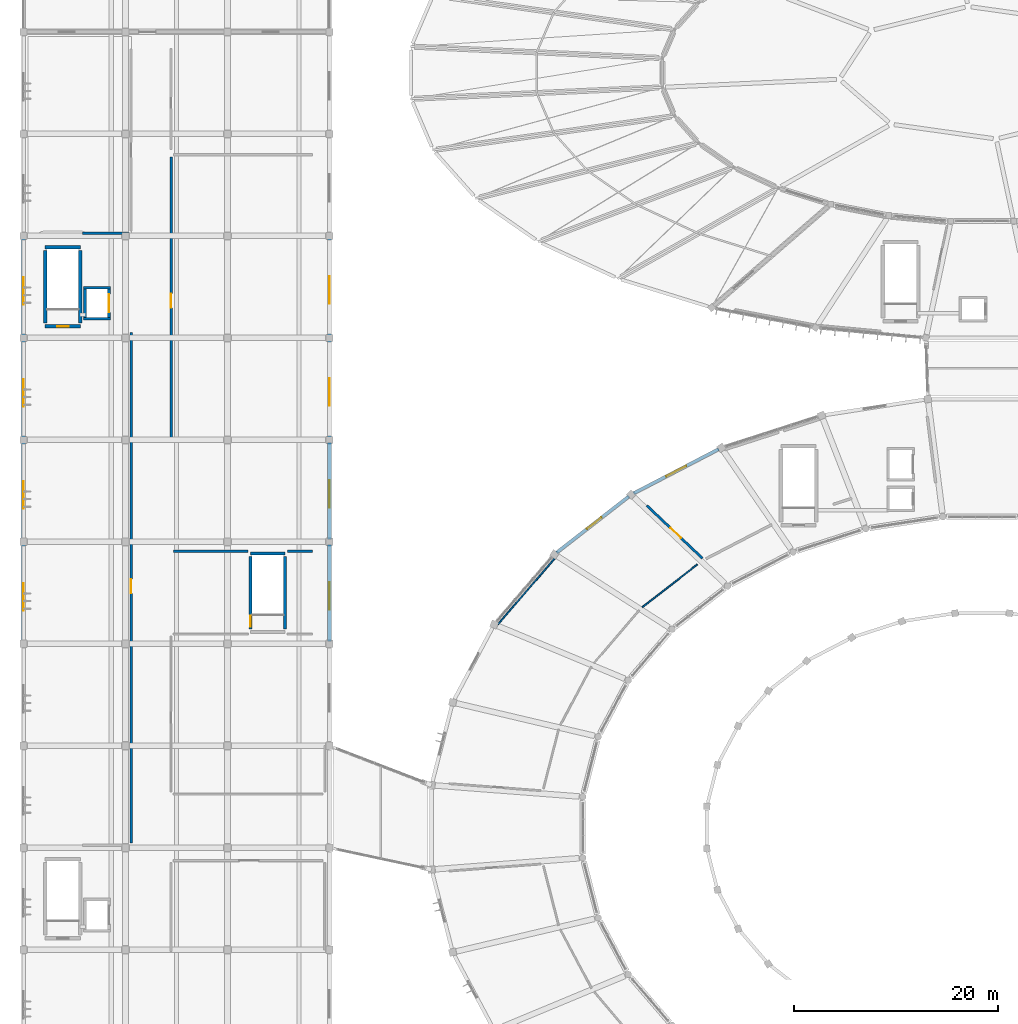
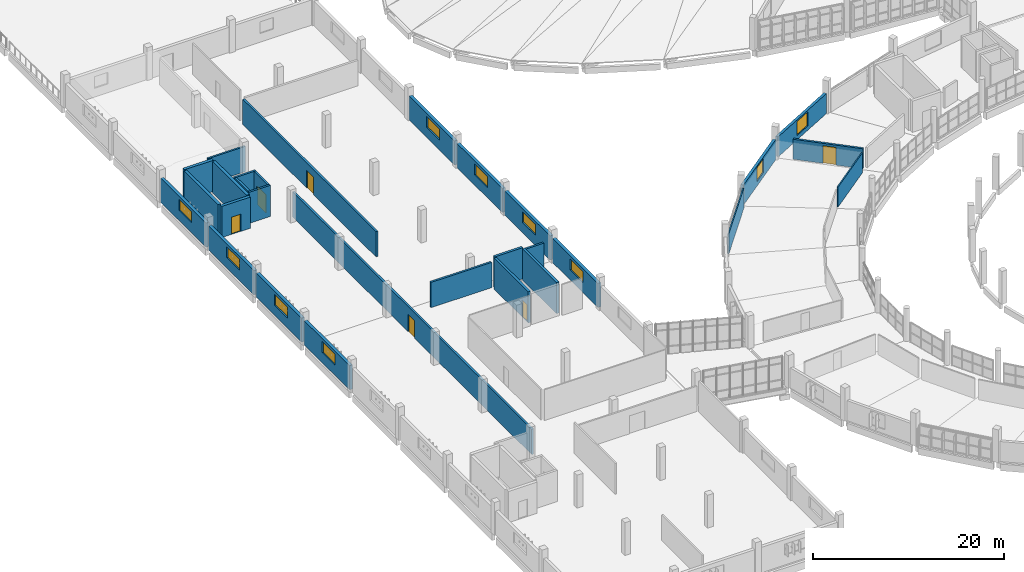
# One storey, part 98 of 142: 29 walls, 10 windows, 6 doors, 16 openings.
"""IFC4 building model written with IfcOpenShell, lengths in metres."""

from ifc_helpers import new_model, si_unit, direction, frame, frame_2d, origin, place, context, subcontext, project, spatial, rectangle, extrude, material, layer, layer_set, type_object, element, fill, save


model = new_model("IFC4")

# Units and contexts
model_context = context("Model", 3, precision=1e-05, world=origin(), true_north=direction((0.0, 1.0)))
body_context = subcontext(model_context, "Body", "Model", "MODEL_VIEW")
ifc_project = project(units=[si_unit("LENGTHUNIT", "METRE"), si_unit("AREAUNIT", "SQUARE_METRE"), si_unit("VOLUMEUNIT", "CUBIC_METRE"), si_unit("PLANEANGLEUNIT", "RADIAN"), si_unit("MASSUNIT", "GRAM", prefix="KILO")], contexts=[model_context])

# Site, building, storey
site_placement = place(None, origin())
site = spatial("IfcSite", under=ifc_project, at=site_placement, CompositionType="ELEMENT")
building_placement = place(site_placement, origin())
building = spatial("IfcBuilding", under=site, at=building_placement, Name="Corvandel Quay Wholesale Market", CompositionType="ELEMENT")
storey_placement = place(building_placement, frame((0.0, 0.0, 10.800048828125)))
storey = spatial("IfcBuildingStorey", under=building, at=storey_placement, Name="L02", CompositionType="ELEMENT", Elevation=10.800048828125)

# Wall, opening, door
ifc_material_1 = material(Name="Concrete C40/50", Category="concrete")
ifc_layer_1 = layer(ifc_material_1, 0.35009765625)
ifc_layer_set_1 = layer_set([ifc_layer_1], Name="Concrete C40/50")
wall_type_1 = type_object("IfcWallType", Name="Core Shear Wall SW01 350", PredefinedType="SHEAR", material=ifc_layer_set_1)
wall_1_placement = place(storey_placement, frame((22.125, 91.125, 0.0), z_axis=(0.0, 0.0, 1.0), x_axis=(1.0, 0.0, 0.0)))
wall_1 = element("IfcWall", 1, at=wall_1_placement, inside=storey, type_object=wall_type_1, Name="Shear Wall IW-0129", PredefinedType="SHEAR", context=body_context, shape_type="SweptSolid", body=[
    extrude(rectangle(XDim=3.449951171875, YDim=0.35009765625, at=frame_2d((1.72509765625, 0.0))), origin(), (0.0, 0.0, 1.0), 3.97998046875),
])
opening_1_placement = place(wall_1_placement, frame((1.199951171875, 0.0, 0.0)))
opening_1 = element("IfcOpeningElement", 2, at=opening_1_placement, cuts=wall_1, Name="Opening L02-D015", PredefinedType="OPENING", context=body_context, shape_type="SweptSolid", body=[
    extrude(rectangle(XDim=1.10009765625, YDim=2.199951171875, at=frame_2d((0.550048828125, 1.10009765625))), frame((0.0, 0.18505859375, 0.0), z_axis=(0.0, -1.0, 0.0), x_axis=(1.0, 0.0, 0.0)), (0.0, 0.0, 1.0), 0.3701171875),
])
ifc_material_2 = material(Name="Galvanised fire-rated hollow steel", Category="steel")
door_type_1 = type_object("IfcDoorType", Name="Exit Stair Fire Door ID01 1100x2200L", OperationType="SINGLE_SWING_LEFT", PredefinedType="DOOR", material=ifc_material_2)
door_1_placement = place(opening_1_placement, origin())
door_1 = element("IfcDoor", 3, at=door_1_placement, inside=storey, type_object=door_type_1, Name="Exit Stair Door SH12-L02", OperationType="SINGLE_SWING_LEFT", OverallHeight=2.199951171875, OverallWidth=1.10009765625, PredefinedType="DOOR", context=body_context, shape_type="SweptSolid", body=[
    extrude(rectangle(XDim=1.10009765625, YDim=2.199951171875, at=frame_2d((0.550048828125, 1.10009765625))), frame((0.0, 0.02490234375, 0.0), z_axis=(0.0, -1.0, 0.0), x_axis=(1.0, 0.0, 0.0)), (0.0, 0.0, 1.0), 0.050048828125),
])
fill(opening_1, door_1)

# Walls
wall_2_placement = place(storey_placement, frame((22.125, 98.875, 0.0), z_axis=(0.0, 0.0, 1.0), x_axis=(1.0, 0.0, 0.0)))
element("IfcWall", 4, at=wall_2_placement, inside=storey, type_object=wall_type_1, Name="Shear Wall IW-0130", PredefinedType="SHEAR", context=body_context, shape_type="SweptSolid", body=[
    extrude(rectangle(XDim=3.449951171875, YDim=0.35009765625, at=frame_2d((1.72509765625, 0.0))), origin(), (0.0, 0.0, 1.0), 3.97998046875),
])
for number, where, z_axis, x_axis, name in (
    (5, (22.125, 91.43994140625, 0.0), (0.0, 0.0, 1.0), (0.0, 1.0, 0.0), "Shear Wall IW-0131"),
    (6, (25.574951171875, 91.43994140625, 0.0), (0.0, 0.0, 1.0), (0.0, 1.0, 0.0), "Shear Wall IW-0132"),
):
    element("IfcWall", number, at=place(storey_placement, frame(where, z_axis=z_axis, x_axis=x_axis)), inside=storey, type_object=wall_type_1, Name=name, PredefinedType="SHEAR", context=body_context, shape_type="SweptSolid", body=[
        extrude(rectangle(XDim=7.1201171875, YDim=0.35009765625, at=frame_2d((3.56005859375, 0.0))), origin(), (0.0, 0.0, 1.0), 3.97998046875),
    ])
ifc_material_3 = material(Name="Gypsum-clad steel stud framing", Category="steel")
ifc_layer_2 = layer(ifc_material_3, 0.2099609375)
ifc_layer_set_2 = layer_set([ifc_layer_2], Name="Gypsum-clad steel stud framing")
wall_type_2 = type_object("IfcWallType", Name="Corridor Rated Partition PT02 210", PredefinedType="PARTITIONING", material=ifc_layer_set_2)
wall_3_placement = place(storey_placement, frame((30.320068359375, 100.260009765625, 0.0), z_axis=(0.0, 0.0, 1.0), x_axis=(-1.0, 0.0, 0.0)))
element("IfcWall", 7, at=wall_3_placement, inside=storey, type_object=wall_type_2, Name="Interior Wall IW-0836", PredefinedType="PARTITIONING", context=body_context, shape_type="SweptSolid", body=[
    extrude(rectangle(XDim=4.525146484375, YDim=0.2099609375, at=frame_2d((2.2626953125, 0.0))), origin(), (0.0, 0.0, 1.0), 3.22998046875),
])

# Wall, opening, door
ifc_material_4 = material(Name="Lightweight concrete blockwork", Category="masonry")
ifc_layer_3 = layer(ifc_material_4, 0.239990234375)
ifc_layer_set_3 = layer_set([ifc_layer_3], Name="Lightweight concrete blockwork")
wall_type_3 = type_object("IfcWallType", Name="Fire Compartment Partition PT01 240", PredefinedType="PARTITIONING", material=ifc_layer_set_3)
wall_4_placement = place(storey_placement, frame((86.564208984375, 68.386474609375, 0.0), z_axis=(0.0, 0.0, 1.0), x_axis=(-0.725723737428, 0.687986233099, 0.0)))
wall_4 = element("IfcWall", 8, at=wall_4_placement, inside=storey, type_object=wall_type_3, Name="Interior Wall IW-0538", PredefinedType="PARTITIONING", context=body_context, shape_type="SweptSolid", body=[
    extrude(rectangle(XDim=7.510986328125, YDim=0.239990234375, at=frame_2d((3.75537109375, 0.0))), origin(), (0.0, 0.0, 1.0), 2.550048828125),
])
opening_2_placement = place(wall_4_placement, frame((2.906005859375, 0.0, 0.0)))
opening_2 = element("IfcOpeningElement", 9, at=opening_2_placement, cuts=wall_4, Name="Opening L02-D032", PredefinedType="OPENING", context=body_context, shape_type="SweptSolid", body=[
    extrude(rectangle(XDim=1.39990234375, YDim=2.25, at=frame_2d((0.699951171875, 1.125))), frame((0.0, 0.1298828125, 0.0), z_axis=(0.0, -1.0, 0.0), x_axis=(1.0, 0.0, 0.0)), (0.0, 0.0, 1.0), 0.260009765625),
])
ifc_material_5 = material(Name="Acoustic louvred fire-rated steel", Category="steel")
door_type_2 = type_object("IfcDoorType", Name="Plant Room Fire Door ID15 1400x2250L", OperationType="SINGLE_SWING_LEFT", PredefinedType="DOOR", material=ifc_material_5)
door_2_placement = place(opening_2_placement, origin())
door_2 = element("IfcDoor", 10, at=door_2_placement, inside=storey, type_object=door_type_2, Name="Market Air Handling Plant Room V1 Door", OperationType="SINGLE_SWING_LEFT", OverallHeight=2.25, OverallWidth=1.39990234375, PredefinedType="DOOR", context=body_context, shape_type="SweptSolid", body=[
    extrude(rectangle(XDim=1.39990234375, YDim=2.25, at=frame_2d((0.699951171875, 1.125))), frame((0.0, 0.02490234375, 0.0), z_axis=(0.0, -1.0, 0.0), x_axis=(1.0, 0.0, 0.0)), (0.0, 0.0, 1.0), 0.050048828125),
])
fill(opening_2, door_2)

wall_5_placement = place(storey_placement, frame((30.5400390625, 90.52001953125, 0.0), z_axis=(0.0, 0.0, 1.0), x_axis=(0.0, -1.0, 0.0)))
wall_5 = element("IfcWall", 11, at=wall_5_placement, inside=storey, type_object=wall_type_3, Name="Interior Wall IW-0833", PredefinedType="PARTITIONING", context=body_context, shape_type="SweptSolid", body=[
    extrude(rectangle(XDim=50.0400390625, YDim=0.239990234375, at=frame_2d((25.02001953125, 0.0))), origin(), (0.0, 0.0, 1.0), 3.22998046875),
])
opening_3_placement = place(wall_5_placement, frame((24.169921875, 0.0, 0.0)))
opening_3 = element("IfcOpeningElement", 12, at=opening_3_placement, cuts=wall_5, Name="Opening L02-D043", PredefinedType="OPENING", context=body_context, shape_type="SweptSolid", body=[
    extrude(rectangle(XDim=1.39990234375, YDim=2.25, at=frame_2d((0.699951171875, 1.125))), frame((0.0, 0.1298828125, 0.0), z_axis=(0.0, -1.0, 0.0), x_axis=(1.0, 0.0, 0.0)), (0.0, 0.0, 1.0), 0.260009765625),
])
door_type_3 = type_object("IfcDoorType", Name="Plant Room Fire Door ID16 1400x2250R", OperationType="SINGLE_SWING_RIGHT", PredefinedType="DOOR", material=ifc_material_5)
door_3_placement = place(opening_3_placement, origin())
door_3 = element("IfcDoor", 13, at=door_3_placement, inside=storey, type_object=door_type_3, Name="Cascade Refrigeration Plant Hall Door", OperationType="SINGLE_SWING_RIGHT", OverallHeight=2.25, OverallWidth=1.39990234375, PredefinedType="DOOR", context=body_context, shape_type="SweptSolid", body=[
    extrude(rectangle(XDim=1.39990234375, YDim=2.25, at=frame_2d((0.699951171875, 1.125))), frame((0.0, 0.02490234375, 0.0), z_axis=(0.0, -1.0, 0.0), x_axis=(1.0, 0.0, 0.0)), (0.0, 0.0, 1.0), 0.050048828125),
])
fill(opening_3, door_3)

wall_6_placement = place(storey_placement, frame((34.4599609375, 79.84619140625, 0.0), z_axis=(0.0, 0.0, 1.0), x_axis=(0.0, 1.0, 0.0)))
wall_6 = element("IfcWall", 14, at=wall_6_placement, inside=storey, type_object=wall_type_3, Name="Interior Wall IW-0846", PredefinedType="PARTITIONING", context=body_context, shape_type="SweptSolid", body=[
    extrude(rectangle(XDim=27.873779296875, YDim=0.239990234375, at=frame_2d((13.93701171875, 0.0))), origin(), (0.0, 0.0, 1.0), 3.22998046875),
])
opening_4_placement = place(wall_6_placement, frame((13.0869140625, 0.0, 0.0)))
opening_4 = element("IfcOpeningElement", 15, at=opening_4_placement, cuts=wall_6, Name="Opening L02-D047", PredefinedType="OPENING", context=body_context, shape_type="SweptSolid", body=[
    extrude(rectangle(XDim=1.39990234375, YDim=2.25, at=frame_2d((0.699951171875, 1.125))), frame((0.0, 0.1298828125, 0.0), z_axis=(0.0, -1.0, 0.0), x_axis=(1.0, 0.0, 0.0)), (0.0, 0.0, 1.0), 0.260009765625),
])
door_4_placement = place(opening_4_placement, origin())
door_4 = element("IfcDoor", 16, at=door_4_placement, inside=storey, type_object=door_type_3, Name="Plant Maintenance Workshop Door", OperationType="SINGLE_SWING_RIGHT", OverallHeight=2.25, OverallWidth=1.39990234375, PredefinedType="DOOR", context=body_context, shape_type="SweptSolid", body=[
    extrude(rectangle(XDim=1.39990234375, YDim=2.25, at=frame_2d((0.699951171875, 1.125))), frame((0.0, 0.02490234375, 0.0), z_axis=(0.0, -1.0, 0.0), x_axis=(1.0, 0.0, 0.0)), (0.0, 0.0, 1.0), 0.050048828125),
])
fill(opening_4, door_4)

# Walls
wall_7_placement = place(storey_placement, frame((48.330078125, 69.06005859375, 0.0), z_axis=(0.0, 0.0, 1.0), x_axis=(-1.0, 0.0, 0.0)))
element("IfcWall", 17, at=wall_7_placement, inside=storey, type_object=wall_type_3, Name="Interior Wall IW-0848", PredefinedType="PARTITIONING", context=body_context, shape_type="SweptSolid", body=[
    extrude(rectangle(XDim=2.4599609375, YDim=0.239990234375, at=frame_2d((1.22998046875, 0.0))), origin(), (0.0, 0.0, 1.0), 3.47998046875),
])
wall_8_placement = place(storey_placement, frame((42.030029296875, 69.06005859375, 0.0), z_axis=(0.0, 0.0, 1.0), x_axis=(-1.0, 0.0, 0.0)))
element("IfcWall", 18, at=wall_8_placement, inside=storey, type_object=wall_type_3, Name="Interior Wall IW-0849", PredefinedType="PARTITIONING", context=body_context, shape_type="SweptSolid", body=[
    extrude(rectangle(XDim=7.35009765625, YDim=0.239990234375, at=frame_2d((3.675048828125, 0.0))), origin(), (0.0, 0.0, 1.0), 3.22998046875),
])
ifc_layer_4 = layer(ifc_material_1, 0.25)
ifc_layer_set_4 = layer_set([ifc_layer_4], Name="Concrete C40/50")
wall_type_4 = type_object("IfcWallType", Name="Lift Shaft Shear Wall SW03 250", PredefinedType="SHEAR", material=ifc_layer_set_4)
for number, where, z_axis, x_axis, name in (
    (19, (25.89990234375, 91.875, 0.0), (0.0, 0.0, 1.0), (1.0, 0.0, 0.0), "Shear Wall IW-0317"),
    (20, (25.89990234375, 94.925048828125, 0.0), (0.0, 0.0, 1.0), (1.0, 0.0, 0.0), "Shear Wall IW-0318"),
):
    element("IfcWall", number, at=place(storey_placement, frame(where, z_axis=z_axis, x_axis=x_axis)), inside=storey, type_object=wall_type_4, Name=name, PredefinedType="SHEAR", context=body_context, shape_type="SweptSolid", body=[
        extrude(rectangle(XDim=2.60009765625, YDim=0.25, at=frame_2d((1.300048828125, 0.0))), origin(), (0.0, 0.0, 1.0), 3.97998046875),
    ])
wall_9_placement = place(storey_placement, frame((26.02490234375, 91.989990234375, 0.0), z_axis=(0.0, 0.0, 1.0), x_axis=(0.0, 1.0, 0.0)))
element("IfcWall", 21, at=wall_9_placement, inside=storey, type_object=wall_type_4, Name="Shear Wall IW-0319", PredefinedType="SHEAR", context=body_context, shape_type="SweptSolid", body=[
    extrude(rectangle(XDim=2.820068359375, YDim=0.25, at=frame_2d((1.41015625, 0.0))), origin(), (0.0, 0.0, 1.0), 3.97998046875),
])

# Wall, opening, door
wall_10_placement = place(storey_placement, frame((28.375, 91.989990234375, 0.0), z_axis=(0.0, 0.0, 1.0), x_axis=(0.0, 1.0, 0.0)))
wall_10 = element("IfcWall", 22, at=wall_10_placement, inside=storey, type_object=wall_type_4, Name="Shear Wall IW-0320", PredefinedType="SHEAR", context=body_context, shape_type="SweptSolid", body=[
    extrude(rectangle(XDim=2.820068359375, YDim=0.25, at=frame_2d((1.41015625, 0.0))), origin(), (0.0, 0.0, 1.0), 3.97998046875),
])
opening_5_placement = place(wall_10_placement, frame((0.510009765625, 0.0, 0.0)))
opening_5 = element("IfcOpeningElement", 23, at=opening_5_placement, cuts=wall_10, Name="Opening LD-L02-027", PredefinedType="OPENING", context=body_context, shape_type="SweptSolid", body=[
    extrude(rectangle(XDim=1.800048828125, YDim=2.39990234375, at=frame_2d((0.89990234375, 1.199951171875))), frame((0.0, 0.135009765625, 0.0), z_axis=(0.0, -1.0, 0.0), x_axis=(1.0, 0.0, 0.0)), (0.0, 0.0, 1.0), 0.27001953125),
])
ifc_material_6 = material(Name="Heavy-duty brushed stainless steel", Category="steel")
door_type_4 = type_object("IfcDoorType", Name="Goods Lift Landing Door LD02 1800x2400", OperationType="DOUBLE_DOOR_SLIDING", PredefinedType="DOOR", material=ifc_material_6)
door_5_placement = place(opening_5_placement, origin())
door_5 = element("IfcDoor", 24, at=door_5_placement, inside=storey, type_object=door_type_4, Name="Lift Landing Door LF-V4F2-L02", OperationType="DOUBLE_DOOR_SLIDING", OverallHeight=2.39990234375, OverallWidth=1.800048828125, PredefinedType="DOOR", context=body_context, shape_type="SweptSolid", body=[
    extrude(rectangle(XDim=1.800048828125, YDim=2.39990234375, at=frame_2d((0.89990234375, 1.199951171875))), frame((0.0, 0.02490234375, 0.0), z_axis=(0.0, -1.0, 0.0), x_axis=(1.0, 0.0, 0.0)), (0.0, 0.0, 1.0), 0.050048828125),
])
fill(opening_5, door_5)

# Walls
ifc_material_7 = material(Name="Double-layer acoustic gypsum stud partition")
ifc_layer_5 = layer(ifc_material_7, 0.139892578125)
ifc_layer_set_5 = layer_set([ifc_layer_5], Name="Double-layer acoustic gypsum stud partition")
wall_type_5 = type_object("IfcWallType", Name="Office Acoustic Partition PT07 140", PredefinedType="PARTITIONING", material=ifc_layer_set_5)
wall_11_placement = place(storey_placement, frame((66.522216796875, 61.90185546875, 0.0), z_axis=(0.0, 0.0, 1.0), x_axis=(0.651588761732, 0.758572399699, 0.0)))
element("IfcWall", 25, at=wall_11_placement, inside=storey, type_object=wall_type_5, Name="Interior Wall IW-0539", PredefinedType="PARTITIONING", context=body_context, shape_type="SweptSolid", body=[
    extrude(rectangle(XDim=8.569091796875, YDim=0.139892578125, at=frame_2d((4.28466796875, 0.0))), origin(), (0.0, 0.0, 1.0), 2.550048828125),
])
wall_12_placement = place(storey_placement, frame((86.073486328125, 67.781005859375, 0.0), z_axis=(0.0, 0.0, 1.0), x_axis=(-0.789176995311, -0.614165832712, 0.0)))
element("IfcWall", 26, at=wall_12_placement, inside=storey, type_object=wall_type_5, Name="Interior Wall IW-0540", PredefinedType="PARTITIONING", context=body_context, shape_type="SweptSolid", body=[
    extrude(rectangle(XDim=6.82861328125, YDim=0.139892578125, at=frame_2d((3.414306640625, 0.0))), origin(), (0.0, 0.0, 1.0), 2.550048828125),
])

# Wall, opening, window
ifc_material_8 = material(Name="Insulated precast concrete C45/55", Category="concrete")
ifc_layer_6 = layer(ifc_material_8, 0.360107421875)
ifc_layer_set_6 = layer_set([ifc_layer_6], Name="Insulated precast concrete C45/55")
wall_type_6 = type_object("IfcWallType", Name="Ripening Gas-Tight Envelope Wall EW04 360", PredefinedType="SOLIDWALL", material=ifc_layer_set_6)
wall_13_placement = place(storey_placement, frame((20.0, 60.239990234375, 0.0), z_axis=(0.0, 0.0, 1.0), x_axis=(0.0, 1.0, 0.0)))
wall_13 = element("IfcWall", 27, at=wall_13_placement, inside=storey, type_object=wall_type_6, Name="Exterior Wall EW-0256", PredefinedType="SOLIDWALL", context=body_context, shape_type="SweptSolid", body=[
    extrude(rectangle(XDim=9.52001953125, YDim=0.360107421875, at=frame_2d((4.760009765625, 0.0))), origin(), (0.0, 0.0, 1.0), 3.079833984375),
])
opening_6_placement = place(wall_13_placement, frame((3.0, 0.0, 1.300048828125)))
opening_6 = element("IfcOpeningElement", 28, at=opening_6_placement, cuts=wall_13, Name="Opening L02-W047", PredefinedType="OPENING", context=body_context, shape_type="SweptSolid", body=[
    extrude(rectangle(XDim=2.699951171875, YDim=1.39990234375, at=frame_2d((1.35009765625, 0.699951171875))), frame((0.0, 0.18994140625, 0.0), z_axis=(0.0, -1.0, 0.0), x_axis=(1.0, 0.0, 0.0)), (0.0, 0.0, 1.0), 0.380126953125),
])
ifc_material_9 = material(Name="Thermally broken bronze anodised aluminium and solar-control low-E double glazing", Category="aluminium")
window_type_1 = type_object("IfcWindowType", Name="Plant Louvred Clerestory Window WN16 2700x1400", PartitioningType="SINGLE_PANEL", PredefinedType="WINDOW", material=ifc_material_9)
window_1_placement = place(opening_6_placement, origin())
window_1 = element("IfcWindow", 29, at=window_1_placement, inside=storey, type_object=window_type_1, Name="Window L02-W047", OverallHeight=1.39990234375, OverallWidth=2.699951171875, PartitioningType="SINGLE_PANEL", PredefinedType="WINDOW", context=body_context, shape_type="SweptSolid", body=[
    extrude(rectangle(XDim=2.699951171875, YDim=1.39990234375, at=frame_2d((1.35009765625, 0.699951171875))), frame((0.0, 0.030029296875, 0.0), z_axis=(0.0, -1.0, 0.0), x_axis=(1.0, 0.0, 0.0)), (0.0, 0.0, 1.0), 0.06005859375),
])
fill(opening_6, window_1)

wall_14_placement = place(storey_placement, frame((50.0, 60.239990234375, 0.0), z_axis=(0.0, 0.0, 1.0), x_axis=(0.0, 1.0, 0.0)))
wall_14 = element("IfcWall", 30, at=wall_14_placement, inside=storey, type_object=wall_type_6, Name="Exterior Wall EW-0260", PredefinedType="SOLIDWALL", context=body_context, shape_type="SweptSolid", body=[
    extrude(rectangle(XDim=9.52001953125, YDim=0.360107421875, at=frame_2d((4.760009765625, 0.0))), origin(), (0.0, 0.0, 1.0), 3.079833984375),
])
opening_7_placement = place(wall_14_placement, frame((3.10009765625, 0.0, 1.300048828125)))
opening_7 = element("IfcOpeningElement", 31, at=opening_7_placement, cuts=wall_14, Name="Opening L02-W048", PredefinedType="OPENING", context=body_context, shape_type="SweptSolid", body=[
    extrude(rectangle(XDim=2.699951171875, YDim=1.39990234375, at=frame_2d((1.35009765625, 0.699951171875))), frame((0.0, 0.18994140625, 0.0), z_axis=(0.0, -1.0, 0.0), x_axis=(1.0, 0.0, 0.0)), (0.0, 0.0, 1.0), 0.380126953125),
])
window_2_placement = place(opening_7_placement, origin())
window_2 = element("IfcWindow", 32, at=window_2_placement, inside=storey, type_object=window_type_1, Name="Window L02-W048", OverallHeight=1.39990234375, OverallWidth=2.699951171875, PartitioningType="SINGLE_PANEL", PredefinedType="WINDOW", context=body_context, shape_type="SweptSolid", body=[
    extrude(rectangle(XDim=2.699951171875, YDim=1.39990234375, at=frame_2d((1.35009765625, 0.699951171875))), frame((0.0, 0.030029296875, 0.0), z_axis=(0.0, -1.0, 0.0), x_axis=(1.0, 0.0, 0.0)), (0.0, 0.0, 1.0), 0.06005859375),
])
fill(opening_7, window_2)

wall_15_placement = place(storey_placement, frame((20.0, 70.239990234375, 0.0), z_axis=(0.0, 0.0, 1.0), x_axis=(0.0, 1.0, 0.0)))
wall_15 = element("IfcWall", 33, at=wall_15_placement, inside=storey, type_object=wall_type_6, Name="Exterior Wall EW-0263", PredefinedType="SOLIDWALL", context=body_context, shape_type="SweptSolid", body=[
    extrude(rectangle(XDim=9.52001953125, YDim=0.360107421875, at=frame_2d((4.760009765625, 0.0))), origin(), (0.0, 0.0, 1.0), 3.079833984375),
])
opening_8_placement = place(wall_15_placement, frame((3.0, 0.0, 1.300048828125)))
opening_8 = element("IfcOpeningElement", 34, at=opening_8_placement, cuts=wall_15, Name="Opening L02-W049", PredefinedType="OPENING", context=body_context, shape_type="SweptSolid", body=[
    extrude(rectangle(XDim=2.699951171875, YDim=1.39990234375, at=frame_2d((1.35009765625, 0.699951171875))), frame((0.0, 0.18994140625, 0.0), z_axis=(0.0, -1.0, 0.0), x_axis=(1.0, 0.0, 0.0)), (0.0, 0.0, 1.0), 0.380126953125),
])
window_3_placement = place(opening_8_placement, origin())
window_3 = element("IfcWindow", 35, at=window_3_placement, inside=storey, type_object=window_type_1, Name="Window L02-W049", OverallHeight=1.39990234375, OverallWidth=2.699951171875, PartitioningType="SINGLE_PANEL", PredefinedType="WINDOW", context=body_context, shape_type="SweptSolid", body=[
    extrude(rectangle(XDim=2.699951171875, YDim=1.39990234375, at=frame_2d((1.35009765625, 0.699951171875))), frame((0.0, 0.030029296875, 0.0), z_axis=(0.0, -1.0, 0.0), x_axis=(1.0, 0.0, 0.0)), (0.0, 0.0, 1.0), 0.06005859375),
])
fill(opening_8, window_3)

wall_16_placement = place(storey_placement, frame((50.0, 70.239990234375, 0.0), z_axis=(0.0, 0.0, 1.0), x_axis=(0.0, 1.0, 0.0)))
wall_16 = element("IfcWall", 36, at=wall_16_placement, inside=storey, type_object=wall_type_6, Name="Exterior Wall EW-0267", PredefinedType="SOLIDWALL", context=body_context, shape_type="SweptSolid", body=[
    extrude(rectangle(XDim=9.52001953125, YDim=0.360107421875, at=frame_2d((4.760009765625, 0.0))), origin(), (0.0, 0.0, 1.0), 3.079833984375),
])
opening_9_placement = place(wall_16_placement, frame((3.10009765625, 0.0, 1.300048828125)))
opening_9 = element("IfcOpeningElement", 37, at=opening_9_placement, cuts=wall_16, Name="Opening L02-W050", PredefinedType="OPENING", context=body_context, shape_type="SweptSolid", body=[
    extrude(rectangle(XDim=2.699951171875, YDim=1.39990234375, at=frame_2d((1.35009765625, 0.699951171875))), frame((0.0, 0.18994140625, 0.0), z_axis=(0.0, -1.0, 0.0), x_axis=(1.0, 0.0, 0.0)), (0.0, 0.0, 1.0), 0.380126953125),
])
window_4_placement = place(opening_9_placement, origin())
window_4 = element("IfcWindow", 38, at=window_4_placement, inside=storey, type_object=window_type_1, Name="Window L02-W050", OverallHeight=1.39990234375, OverallWidth=2.699951171875, PartitioningType="SINGLE_PANEL", PredefinedType="WINDOW", context=body_context, shape_type="SweptSolid", body=[
    extrude(rectangle(XDim=2.699951171875, YDim=1.39990234375, at=frame_2d((1.35009765625, 0.699951171875))), frame((0.0, 0.030029296875, 0.0), z_axis=(0.0, -1.0, 0.0), x_axis=(1.0, 0.0, 0.0)), (0.0, 0.0, 1.0), 0.06005859375),
])
fill(opening_9, window_4)

wall_17_placement = place(storey_placement, frame((20.0, 80.239990234375, 0.0), z_axis=(0.0, 0.0, 1.0), x_axis=(0.0, 1.0, 0.0)))
wall_17 = element("IfcWall", 39, at=wall_17_placement, inside=storey, type_object=wall_type_6, Name="Exterior Wall EW-0270", PredefinedType="SOLIDWALL", context=body_context, shape_type="SweptSolid", body=[
    extrude(rectangle(XDim=9.52001953125, YDim=0.360107421875, at=frame_2d((4.760009765625, 0.0))), origin(), (0.0, 0.0, 1.0), 3.079833984375),
])
opening_10_placement = place(wall_17_placement, frame((3.0, 0.0, 1.300048828125)))
opening_10 = element("IfcOpeningElement", 40, at=opening_10_placement, cuts=wall_17, Name="Opening L02-W051", PredefinedType="OPENING", context=body_context, shape_type="SweptSolid", body=[
    extrude(rectangle(XDim=2.699951171875, YDim=1.39990234375, at=frame_2d((1.35009765625, 0.699951171875))), frame((0.0, 0.18994140625, 0.0), z_axis=(0.0, -1.0, 0.0), x_axis=(1.0, 0.0, 0.0)), (0.0, 0.0, 1.0), 0.380126953125),
])
window_5_placement = place(opening_10_placement, origin())
window_5 = element("IfcWindow", 41, at=window_5_placement, inside=storey, type_object=window_type_1, Name="Window L02-W051", OverallHeight=1.39990234375, OverallWidth=2.699951171875, PartitioningType="SINGLE_PANEL", PredefinedType="WINDOW", context=body_context, shape_type="SweptSolid", body=[
    extrude(rectangle(XDim=2.699951171875, YDim=1.39990234375, at=frame_2d((1.35009765625, 0.699951171875))), frame((0.0, 0.030029296875, 0.0), z_axis=(0.0, -1.0, 0.0), x_axis=(1.0, 0.0, 0.0)), (0.0, 0.0, 1.0), 0.06005859375),
])
fill(opening_10, window_5)

wall_18_placement = place(storey_placement, frame((50.0, 80.239990234375, 0.0), z_axis=(0.0, 0.0, 1.0), x_axis=(0.0, 1.0, 0.0)))
wall_18 = element("IfcWall", 42, at=wall_18_placement, inside=storey, type_object=wall_type_6, Name="Exterior Wall EW-0274", PredefinedType="SOLIDWALL", context=body_context, shape_type="SweptSolid", body=[
    extrude(rectangle(XDim=9.52001953125, YDim=0.360107421875, at=frame_2d((4.760009765625, 0.0))), origin(), (0.0, 0.0, 1.0), 3.079833984375),
])
opening_11_placement = place(wall_18_placement, frame((3.10009765625, 0.0, 1.300048828125)))
opening_11 = element("IfcOpeningElement", 43, at=opening_11_placement, cuts=wall_18, Name="Opening L02-W052", PredefinedType="OPENING", context=body_context, shape_type="SweptSolid", body=[
    extrude(rectangle(XDim=2.699951171875, YDim=1.39990234375, at=frame_2d((1.35009765625, 0.699951171875))), frame((0.0, 0.18994140625, 0.0), z_axis=(0.0, -1.0, 0.0), x_axis=(1.0, 0.0, 0.0)), (0.0, 0.0, 1.0), 0.380126953125),
])
window_6_placement = place(opening_11_placement, origin())
window_6 = element("IfcWindow", 44, at=window_6_placement, inside=storey, type_object=window_type_1, Name="Window L02-W052", OverallHeight=1.39990234375, OverallWidth=2.699951171875, PartitioningType="SINGLE_PANEL", PredefinedType="WINDOW", context=body_context, shape_type="SweptSolid", body=[
    extrude(rectangle(XDim=2.699951171875, YDim=1.39990234375, at=frame_2d((1.35009765625, 0.699951171875))), frame((0.0, 0.030029296875, 0.0), z_axis=(0.0, -1.0, 0.0), x_axis=(1.0, 0.0, 0.0)), (0.0, 0.0, 1.0), 0.06005859375),
])
fill(opening_11, window_6)

wall_19_placement = place(storey_placement, frame((20.0, 90.239990234375, 0.0), z_axis=(0.0, 0.0, 1.0), x_axis=(0.0, 1.0, 0.0)))
wall_19 = element("IfcWall", 45, at=wall_19_placement, inside=storey, type_object=wall_type_6, Name="Exterior Wall EW-0277", PredefinedType="SOLIDWALL", context=body_context, shape_type="SweptSolid", body=[
    extrude(rectangle(XDim=9.52001953125, YDim=0.360107421875, at=frame_2d((4.760009765625, 0.0))), origin(), (0.0, 0.0, 1.0), 3.079833984375),
])
opening_12_placement = place(wall_19_placement, frame((3.0, 0.0, 1.300048828125)))
opening_12 = element("IfcOpeningElement", 46, at=opening_12_placement, cuts=wall_19, Name="Opening L02-W053", PredefinedType="OPENING", context=body_context, shape_type="SweptSolid", body=[
    extrude(rectangle(XDim=2.699951171875, YDim=1.39990234375, at=frame_2d((1.35009765625, 0.699951171875))), frame((0.0, 0.18994140625, 0.0), z_axis=(0.0, -1.0, 0.0), x_axis=(1.0, 0.0, 0.0)), (0.0, 0.0, 1.0), 0.380126953125),
])
window_7_placement = place(opening_12_placement, origin())
window_7 = element("IfcWindow", 47, at=window_7_placement, inside=storey, type_object=window_type_1, Name="Window L02-W053", OverallHeight=1.39990234375, OverallWidth=2.699951171875, PartitioningType="SINGLE_PANEL", PredefinedType="WINDOW", context=body_context, shape_type="SweptSolid", body=[
    extrude(rectangle(XDim=2.699951171875, YDim=1.39990234375, at=frame_2d((1.35009765625, 0.699951171875))), frame((0.0, 0.030029296875, 0.0), z_axis=(0.0, -1.0, 0.0), x_axis=(1.0, 0.0, 0.0)), (0.0, 0.0, 1.0), 0.06005859375),
])
fill(opening_12, window_7)

wall_20_placement = place(storey_placement, frame((50.0, 90.239990234375, 0.0), z_axis=(0.0, 0.0, 1.0), x_axis=(0.0, 1.0, 0.0)))
wall_20 = element("IfcWall", 48, at=wall_20_placement, inside=storey, type_object=wall_type_6, Name="Exterior Wall EW-0281", PredefinedType="SOLIDWALL", context=body_context, shape_type="SweptSolid", body=[
    extrude(rectangle(XDim=9.52001953125, YDim=0.360107421875, at=frame_2d((4.760009765625, 0.0))), origin(), (0.0, 0.0, 1.0), 3.079833984375),
])
opening_13_placement = place(wall_20_placement, frame((3.10009765625, 0.0, 1.300048828125)))
opening_13 = element("IfcOpeningElement", 49, at=opening_13_placement, cuts=wall_20, Name="Opening L02-W054", PredefinedType="OPENING", context=body_context, shape_type="SweptSolid", body=[
    extrude(rectangle(XDim=2.699951171875, YDim=1.39990234375, at=frame_2d((1.35009765625, 0.699951171875))), frame((0.0, 0.18994140625, 0.0), z_axis=(0.0, -1.0, 0.0), x_axis=(1.0, 0.0, 0.0)), (0.0, 0.0, 1.0), 0.380126953125),
])
window_8_placement = place(opening_13_placement, origin())
window_8 = element("IfcWindow", 50, at=window_8_placement, inside=storey, type_object=window_type_1, Name="Window L02-W054", OverallHeight=1.39990234375, OverallWidth=2.699951171875, PartitioningType="SINGLE_PANEL", PredefinedType="WINDOW", context=body_context, shape_type="SweptSolid", body=[
    extrude(rectangle(XDim=2.699951171875, YDim=1.39990234375, at=frame_2d((1.35009765625, 0.699951171875))), frame((0.0, 0.030029296875, 0.0), z_axis=(0.0, -1.0, 0.0), x_axis=(1.0, 0.0, 0.0)), (0.0, 0.0, 1.0), 0.06005859375),
])
fill(opening_13, window_8)

ifc_material_10 = material(Name="Buff-pigmented precast concrete C45/55", Category="concrete")
ifc_layer_7 = layer(ifc_material_10, 0.320068359375)
ifc_layer_set_7 = layer_set([ifc_layer_7], Name="Buff-pigmented precast concrete C45/55")
wall_type_7 = type_object("IfcWallType", Name="Sandstone Buff Precast Wall EW02 320", PredefinedType="SOLIDWALL", material=ifc_layer_set_7)
wall_21_placement = place(storey_placement, frame((88.181396484375, 79.095458984375, 0.0), z_axis=(0.0, 0.0, 1.0), x_axis=(-0.887335924519, -0.461123581112, 0.0)))
wall_21 = element("IfcWall", 51, at=wall_21_placement, inside=storey, type_object=wall_type_7, Name="Exterior Wall EW-0028", PredefinedType="SOLIDWALL", context=body_context, shape_type="SweptSolid", body=[
    extrude(rectangle(XDim=9.4267578125, YDim=0.320068359375, at=frame_2d((4.71337890625, 0.0))), origin(), (0.0, 0.0, 1.0), 2.550048828125),
])
opening_14_placement = place(wall_21_placement, frame((3.613037109375, 0.0, 0.550048828125)))
opening_14 = element("IfcOpeningElement", 52, at=opening_14_placement, cuts=wall_21, Name="Opening L02-W006", PredefinedType="OPENING", context=body_context, shape_type="SweptSolid", body=[
    extrude(rectangle(XDim=2.199951171875, YDim=1.800048828125, at=frame_2d((1.10009765625, 0.89990234375))), frame((0.0, 0.169921875, 0.0), z_axis=(0.0, -1.0, 0.0), x_axis=(1.0, 0.0, 0.0)), (0.0, 0.0, 1.0), 0.340087890625),
])
window_type_2 = type_object("IfcWindowType", Name="Brokers Office Window WN03 2200x1800", PartitioningType="SINGLE_PANEL", PredefinedType="WINDOW", material=ifc_material_9)
window_9_placement = place(opening_14_placement, origin())
window_9 = element("IfcWindow", 53, at=window_9_placement, inside=storey, type_object=window_type_2, Name="Window L02-W006", OverallHeight=1.800048828125, OverallWidth=2.199951171875, PartitioningType="SINGLE_PANEL", PredefinedType="WINDOW", context=body_context, shape_type="SweptSolid", body=[
    extrude(rectangle(XDim=2.199951171875, YDim=1.800048828125, at=frame_2d((1.10009765625, 0.89990234375))), frame((0.0, 0.030029296875, 0.0), z_axis=(0.0, -1.0, 0.0), x_axis=(1.0, 0.0, 0.0)), (0.0, 0.0, 1.0), 0.06005859375),
])
fill(opening_14, window_9)

wall_22_placement = place(storey_placement, frame((79.364013671875, 74.458251953125, 0.0), z_axis=(0.0, 0.0, 1.0), x_axis=(-0.789327357341, -0.613972575082, 0.0)))
wall_22 = element("IfcWall", 54, at=wall_22_placement, inside=storey, type_object=wall_type_7, Name="Exterior Wall EW-0032", PredefinedType="SOLIDWALL", context=body_context, shape_type="SweptSolid", body=[
    extrude(rectangle(XDim=8.98974609375, YDim=0.320068359375, at=frame_2d((4.494873046875, 0.0))), origin(), (0.0, 0.0, 1.0), 2.550048828125),
])
opening_15_placement = place(wall_22_placement, frame((3.39501953125, 0.0, 0.550048828125)))
opening_15 = element("IfcOpeningElement", 55, at=opening_15_placement, cuts=wall_22, Name="Opening L02-W007", PredefinedType="OPENING", context=body_context, shape_type="SweptSolid", body=[
    extrude(rectangle(XDim=1.800048828125, YDim=1.800048828125, at=frame_2d((0.89990234375, 0.89990234375))), frame((0.0, 0.169921875, 0.0), z_axis=(0.0, -1.0, 0.0), x_axis=(1.0, 0.0, 0.0)), (0.0, 0.0, 1.0), 0.340087890625),
])
window_type_3 = type_object("IfcWindowType", Name="Brokers Corner Window WN04 1800x1800", PartitioningType="SINGLE_PANEL", PredefinedType="WINDOW", material=ifc_material_9)
window_10_placement = place(opening_15_placement, origin())
window_10 = element("IfcWindow", 56, at=window_10_placement, inside=storey, type_object=window_type_3, Name="Window L02-W007", OverallHeight=1.800048828125, OverallWidth=1.800048828125, PartitioningType="SINGLE_PANEL", PredefinedType="WINDOW", context=body_context, shape_type="SweptSolid", body=[
    extrude(rectangle(XDim=1.800048828125, YDim=1.800048828125, at=frame_2d((0.89990234375, 0.89990234375))), frame((0.0, 0.030029296875, 0.0), z_axis=(0.0, -1.0, 0.0), x_axis=(1.0, 0.0, 0.0)), (0.0, 0.0, 1.0), 0.06005859375),
])
fill(opening_15, window_10)

# Wall
ifc_layer_8 = layer(ifc_material_1, 0.300048828125)
ifc_layer_set_8 = layer_set([ifc_layer_8], Name="Concrete C40/50")
wall_type_8 = type_object("IfcWallType", Name="Stair Shaft Shear Wall SW02 300", PredefinedType="SHEAR", material=ifc_layer_set_8)
wall_23_placement = place(storey_placement, frame((42.25, 68.85009765625, 0.0), z_axis=(0.0, 0.0, 1.0), x_axis=(1.0, 0.0, 0.0)))
element("IfcWall", 57, at=wall_23_placement, inside=storey, type_object=wall_type_8, Name="Shear Wall IW-0142", PredefinedType="SHEAR", context=body_context, shape_type="SweptSolid", body=[
    extrude(rectangle(XDim=3.39990234375, YDim=0.300048828125, at=frame_2d((1.699951171875, 0.0))), origin(), (0.0, 0.0, 1.0), 3.97998046875),
])

# Wall, opening, door
wall_24_placement = place(storey_placement, frame((42.25, 61.43994140625, 0.0), z_axis=(0.0, 0.0, 1.0), x_axis=(0.0, 1.0, 0.0)))
wall_24 = element("IfcWall", 58, at=wall_24_placement, inside=storey, type_object=wall_type_8, Name="Shear Wall IW-0143", PredefinedType="SHEAR", context=body_context, shape_type="SweptSolid", body=[
    extrude(rectangle(XDim=7.1201171875, YDim=0.300048828125, at=frame_2d((3.56005859375, 0.0))), origin(), (0.0, 0.0, 1.0), 3.97998046875),
])
opening_16_placement = place(wall_24_placement, frame((0.219970703125, 0.0, 0.0)))
opening_16 = element("IfcOpeningElement", 59, at=opening_16_placement, cuts=wall_24, Name="Opening L02-D016", PredefinedType="OPENING", context=body_context, shape_type="SweptSolid", body=[
    extrude(rectangle(XDim=1.10009765625, YDim=2.199951171875, at=frame_2d((0.550048828125, 1.10009765625))), frame((0.0, 0.159912109375, 0.0), z_axis=(0.0, -1.0, 0.0), x_axis=(1.0, 0.0, 0.0)), (0.0, 0.0, 1.0), 0.320068359375),
])
door_type_5 = type_object("IfcDoorType", Name="Exit Stair Fire Door ID02 1100x2200R", OperationType="SINGLE_SWING_RIGHT", PredefinedType="DOOR", material=ifc_material_2)
door_6_placement = place(opening_16_placement, origin())
door_6 = element("IfcDoor", 60, at=door_6_placement, inside=storey, type_object=door_type_5, Name="Exit Stair Door SH13-L02", OperationType="SINGLE_SWING_RIGHT", OverallHeight=2.199951171875, OverallWidth=1.10009765625, PredefinedType="DOOR", context=body_context, shape_type="SweptSolid", body=[
    extrude(rectangle(XDim=1.10009765625, YDim=2.199951171875, at=frame_2d((0.550048828125, 1.10009765625))), frame((0.0, 0.02490234375, 0.0), z_axis=(0.0, -1.0, 0.0), x_axis=(1.0, 0.0, 0.0)), (0.0, 0.0, 1.0), 0.050048828125),
])
fill(opening_16, door_6)

# Wall
wall_25_placement = place(storey_placement, frame((45.64990234375, 61.43994140625, 0.0), z_axis=(0.0, 0.0, 1.0), x_axis=(0.0, 1.0, 0.0)))
element("IfcWall", 61, at=wall_25_placement, inside=storey, type_object=wall_type_8, Name="Shear Wall IW-0144", PredefinedType="SHEAR", context=body_context, shape_type="SweptSolid", body=[
    extrude(rectangle(XDim=7.1201171875, YDim=0.300048828125, at=frame_2d((3.56005859375, 0.0))), origin(), (0.0, 0.0, 1.0), 3.97998046875),
])

save(model, "model.ifc")
